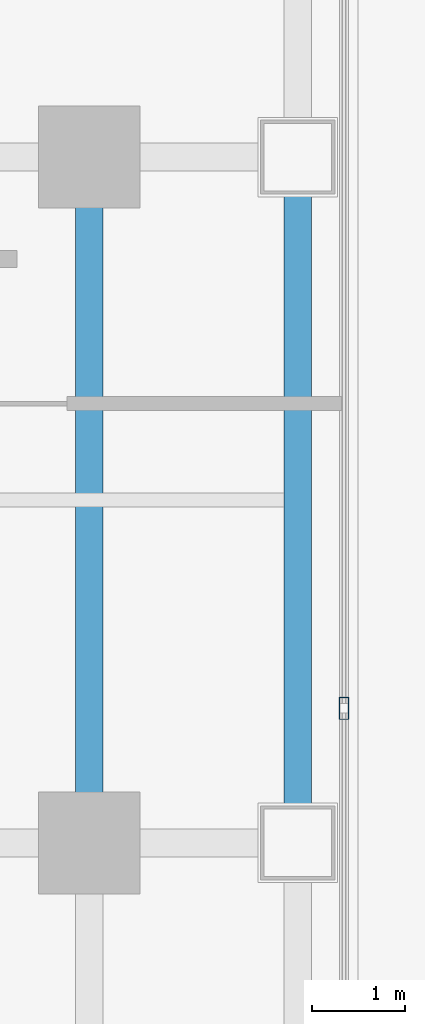
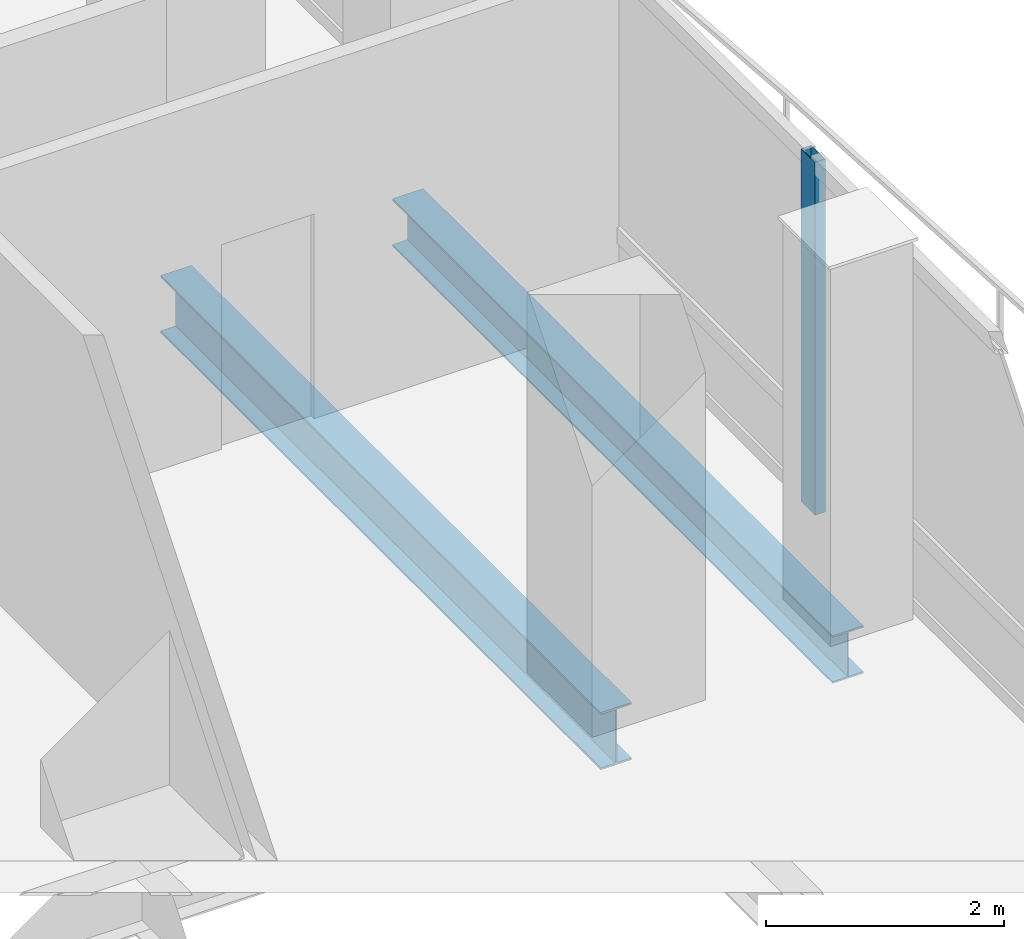
# One storey, part 11 of 28: 2 beams, 1 member, 1 element without a shape of its own.
"""IFC4 building model written with IfcOpenShell, lengths in metres."""

from ifc_helpers import new_model, si_unit, direction, frame, origin, origin_2d, place, context, subcontext, project, spatial, hollow_rectangle, i_section, extrude, material, layer, layer_set, material_profile, profile_set, type_object, element, aggregate, save


model = new_model("IFC4")

# Units and contexts
model_context = context("Model", 3, precision=1e-05, world=origin(), true_north=direction((0.0, 1.0)))
body_context = subcontext(model_context, "Body", "Model", "MODEL_VIEW")
ifc_project = project(units=[si_unit("LENGTHUNIT", "METRE"), si_unit("AREAUNIT", "SQUARE_METRE"), si_unit("VOLUMEUNIT", "CUBIC_METRE"), si_unit("PLANEANGLEUNIT", "RADIAN"), si_unit("MASSUNIT", "GRAM", prefix="KILO")], contexts=[model_context])

# Site, building, storey
site_placement = place(None, origin())
site = spatial("IfcSite", under=ifc_project, at=site_placement, CompositionType="ELEMENT")
building_placement = place(site_placement, origin())
building = spatial("IfcBuilding", under=site, at=building_placement, Name="Khorvyn Point Tower", CompositionType="ELEMENT")
storey_placement = place(building_placement, frame((0.0, 0.0, 104.699951171875)))
storey = spatial("IfcBuildingStorey", under=building, at=storey_placement, Name="L26", CompositionType="ELEMENT", Elevation=104.699951171875)

# Curtain wall, member
ifc_material_1 = material(Name="Anodised aluminium 6063-T6 and laminated Low-E glass", Category="aluminium")
ifc_layer = layer(ifc_material_1, 0.18994140625)
ifc_layer_set = layer_set([ifc_layer], Name="Stick-Built Finned Residential Curtain Wall CW-SYS-02")
curtain_wall_type = type_object("IfcCurtainWallType", Name="Stick-Built Finned Residential Curtain Wall CW-SYS-02", PredefinedType="NOTDEFINED", material=ifc_layer_set)
curtain_wall_placement = place(storey_placement, origin())
curtain_wall = element("IfcCurtainWall", 1, at=curtain_wall_placement, inside=storey, type_object=curtain_wall_type, Name="Curtain Wall", PredefinedType="NOTDEFINED")
ifc_material_2 = material(Name="Anodised aluminium 6063-T6", Category="aluminium")
ifc_material_profile_1 = material_profile(ifc_material_2, hollow_rectangle(XDim=0.10009765625, YDim=0.239990234375, WallThickness=0.0048828125, at=origin_2d()))
ifc_profile_set_1 = profile_set([ifc_material_profile_1], Name="Anodised aluminium 6063-T6 ALU-MUL-100x240")
member_type = type_object("IfcMemberType", Name="Anodised Aluminium 6063-T6 Mullion ALU-MUL-100x240", PredefinedType="MULLION", material=ifc_profile_set_1)
member_placement = place(storey_placement, frame((22.14990234375, 8.8515625, 0.0), z_axis=(0.0, 0.0, 1.0), x_axis=(1.0, 0.0, 0.0)))
member = element("IfcMember", 2, at=member_placement, type_object=member_type, Name="Transom", PredefinedType="MULLION", context=body_context, shape_type="SweptSolid", body=[
    extrude(hollow_rectangle(XDim=0.10009765625, YDim=0.239990234375, WallThickness=0.0048828125, at=origin_2d()), origin(), (0.0, 0.0, 1.0), 3.6201171875),
])
aggregate(curtain_wall, [member])

# Beams
ifc_material_3 = material(Name="Steel S355", Category="steel")
ifc_material_profile_2 = material_profile(ifc_material_3, i_section(OverallWidth=0.300048828125, OverallDepth=0.587890625, WebThickness=0.011962890625, FlangeThickness=0.02001953125, at=origin_2d()))
ifc_profile_set_2 = profile_set([ifc_material_profile_2], Name="Steel S355 H588x300x12x20")
beam_type_1 = type_object("IfcBeamType", Name="Steel S355 Beam H588x300x12x20", PredefinedType="BEAM", material=ifc_profile_set_2)
beam_1_placement = place(storey_placement, frame((19.39990234375, 7.39990234375, -0.513916015625), z_axis=(0.0, 1.0, 0.0), x_axis=(-1.0, 0.0, 0.0)))
element("IfcBeam", 3, at=beam_1_placement, inside=storey, type_object=beam_type_1, Name="Beam", PredefinedType="BEAM", context=body_context, shape_type="SweptSolid", body=[
    extrude(i_section(OverallWidth=0.300048828125, OverallDepth=0.587890625, WebThickness=0.011962890625, FlangeThickness=0.02001953125, at=origin_2d()), origin(), (0.0, 0.0, 1.0), 7.400146484375),
])
ifc_material_profile_3 = material_profile(ifc_material_3, i_section(OverallWidth=0.300048828125, OverallDepth=0.488037109375, WebThickness=0.010986328125, FlangeThickness=0.01806640625, at=origin_2d()))
ifc_profile_set_3 = profile_set([ifc_material_profile_3], Name="Steel S355 H488x300x11x18")
beam_type_2 = type_object("IfcBeamType", Name="Steel S355 Spandrel H488x300x11x18", PredefinedType="SPANDREL", material=ifc_profile_set_3)
beam_2_placement = place(storey_placement, frame((21.64990234375, 7.39990234375, -0.4638671875), z_axis=(0.0, 1.0, 0.0), x_axis=(-1.0, 0.0, 0.0)))
element("IfcBeam", 4, at=beam_2_placement, inside=storey, type_object=beam_type_2, Name="Beam", PredefinedType="SPANDREL", context=body_context, shape_type="SweptSolid", body=[
    extrude(i_section(OverallWidth=0.300048828125, OverallDepth=0.488037109375, WebThickness=0.010986328125, FlangeThickness=0.01806640625, at=origin_2d()), origin(), (0.0, 0.0, 1.0), 7.400146484375),
])

save(model, "model.ifc")
